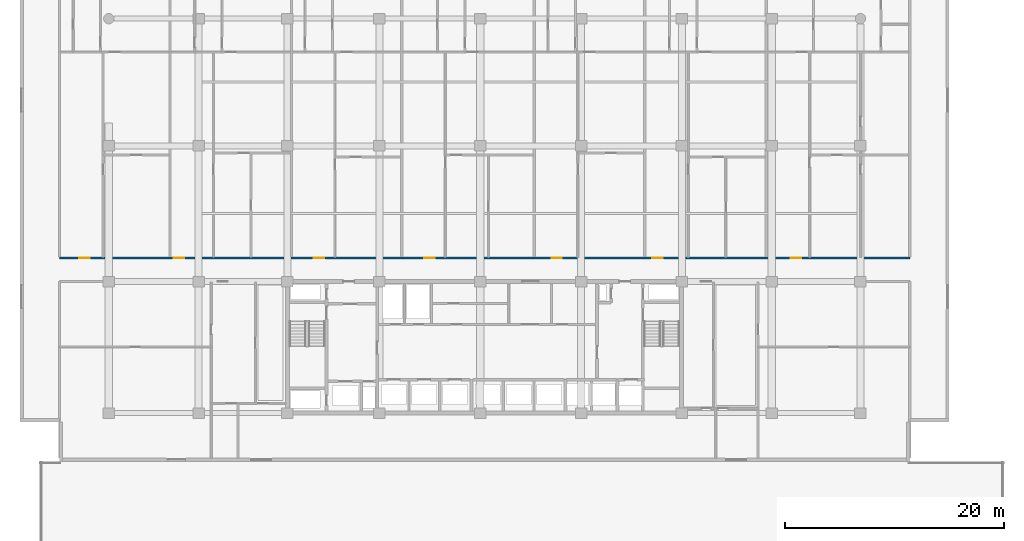
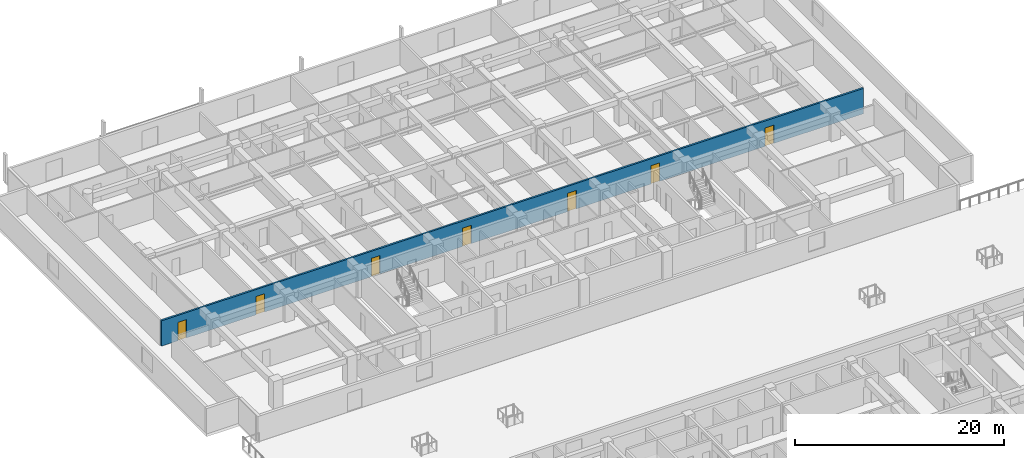
# One storey, part 13 of 24: 7 doors, 1 wall, 7 openings.
"""IFC4 building model written with IfcOpenShell, lengths in metres."""

import ifcopenshell
import ifcopenshell.guid

model = None  # the IFC model being written
_history = None  # IfcOwnerHistory: only IFC2X3 demands one
_inside = {}  # id of a spatial element -> (the spatial element, [elements in it])
_under = {}  # id of a project, library or spatial element -> (it, [spatial elements below it])
_declared = {}  # id of a project -> (the project, [libraries it declares])
_typed = {}  # id of a type object -> (the type object, [elements of that type])
_made_of = {}  # id of a material, layer set ... -> (it, [elements and type objects made of it])


def new_model(schema):
    """Start an empty IFC model of exactly this schema.

    Asked for "IFC4X3", IfcOpenShell would pick the latest addendum, in which some entities
    have other attributes; the version numbers below select the first issue.
    IFC2X3 requires an IfcOwnerHistory on every rooted entity: one is made here for all.
    """
    global model, _history
    if schema == "IFC4X3":
        model = ifcopenshell.file(schema_version=(4, 3, 0, 0))
    else:
        model = ifcopenshell.file(schema=schema)
    _inside.clear()
    _under.clear()
    _declared.clear()
    _typed.clear()
    _made_of.clear()
    _history = None
    if model.schema == "IFC2X3":
        org = make("IfcOrganization", Name="unknown")
        user = make(
            "IfcPersonAndOrganization",
            ThePerson=make("IfcPerson", FamilyName="unknown"),
            TheOrganization=org,
        )
        app = make(
            "IfcApplication",
            ApplicationDeveloper=org,
            Version="unknown",
            ApplicationFullName="unknown",
            ApplicationIdentifier="unknown",
        )
        _history = make(
            "IfcOwnerHistory",
            OwningUser=user,
            OwningApplication=app,
            ChangeAction="ADDED",
            CreationDate=0,
        )
    return model


def make(cls, **values):
    """One entity of the class cls with the attributes given. An attribute that is None is left unset."""
    return model.create_entity(
        cls, **{name: value for name, value in values.items() if value is not None}
    )


def rooted(cls, **values):
    """An entity with a GlobalId (a new one), such as an element, a storey or a relation."""
    return make(cls, GlobalId=ifcopenshell.guid.new(), OwnerHistory=_history, **values)


def si_unit(unit_type, name, prefix=None):
    """IfcSIUnit, for example si_unit("LENGTHUNIT", "METRE", prefix="MILLI")."""
    return make("IfcSIUnit", UnitType=unit_type, Prefix=prefix, Name=name)


def assignment(units):
    """IfcUnitAssignment: the units of a project."""
    return None if units is None else make("IfcUnitAssignment", Units=units)


def point(xyz):
    """IfcCartesianPoint."""
    return None if xyz is None else make("IfcCartesianPoint", Coordinates=xyz)


def direction(xyz):
    """IfcDirection."""
    return None if xyz is None else make("IfcDirection", DirectionRatios=xyz)


def frame(location, z_axis=None, x_axis=None):
    """IfcAxis2Placement3D, a coordinate frame: its origin and axes. An axis left out is left unset."""
    return make(
        "IfcAxis2Placement3D",
        Location=point(location),
        Axis=direction(z_axis),
        RefDirection=direction(x_axis),
    )


def frame_2d(location, x_axis=None):
    """IfcAxis2Placement2D, a coordinate frame in the plane: its origin and x axis."""
    return make(
        "IfcAxis2Placement2D", Location=point(location), RefDirection=direction(x_axis)
    )


def origin():
    """The frame at (0, 0, 0) with its axes left unset."""
    return frame((0.0, 0.0, 0.0))


def place(relative_to, where):
    """IfcLocalPlacement: puts the frame where relative to a parent placement (None: the world)."""
    return make(
        "IfcLocalPlacement", PlacementRelTo=relative_to, RelativePlacement=where
    )


def context(
    kind, dimensions, precision=None, world=None, true_north=None, identifier=None
):
    """IfcGeometricRepresentationContext, for example the 3D "Model" context."""
    return make(
        "IfcGeometricRepresentationContext",
        ContextIdentifier=identifier,
        ContextType=kind,
        CoordinateSpaceDimension=dimensions,
        Precision=precision,
        WorldCoordinateSystem=world,
        TrueNorth=true_north,
    )


def subcontext(parent, identifier, kind, view, scale=None):
    """IfcGeometricRepresentationSubContext, for example "Body" below "Model"."""
    return make(
        "IfcGeometricRepresentationSubContext",
        ContextIdentifier=identifier,
        ContextType=kind,
        ParentContext=parent,
        TargetScale=scale,
        TargetView=view,
    )


def project(units=None, contexts=None):
    """IfcProject with its units and contexts."""
    return rooted(
        "IfcProject",
        Name="project",
        RepresentationContexts=contexts,
        UnitsInContext=assignment(units),
    )


def spatial(cls, under=None, at=None, **own):
    """A site, building, storey or space (cls), placed at a placement, below another one or the project."""
    s = rooted(cls, ObjectPlacement=at, **own)
    if under is not None:
        _under.setdefault(under.id(), (under, []))[1].append(s)
    return s


def profile(cls, at=None, kind="AREA", **sizes):
    """A parametric profile (cls). Its sizes go by their IFC names, for example OverallWidth=200.0."""
    return make(cls, ProfileType=kind, Position=at, **sizes)


def rectangle(**sizes):
    """IfcRectangleProfileDef."""
    return profile("IfcRectangleProfileDef", **sizes)


def extrude(swept, where, along, depth):
    """IfcExtrudedAreaSolid: the profile swept, set in the frame where, extruded along a direction by depth."""
    return make(
        "IfcExtrudedAreaSolid",
        SweptArea=swept,
        Position=where,
        ExtrudedDirection=direction(along),
        Depth=depth,
    )


def shape(context_of_items, identifier, shape_type, items):
    """IfcShapeRepresentation: the items that make up one representation, for example the "Body"."""
    return make(
        "IfcShapeRepresentation",
        ContextOfItems=context_of_items,
        RepresentationIdentifier=identifier,
        RepresentationType=shape_type,
        Items=items,
    )


def material(Name=None, Category=None):
    """IfcMaterial."""
    return make("IfcMaterial", Name=Name, Category=Category)


def layer(
    of_material, thickness, ventilated=None, Name=None, Category=None, Priority=None
):
    """IfcMaterialLayer: one layer of a wall or slab, of a material (None: an air gap)."""
    return make(
        "IfcMaterialLayer",
        Material=of_material,
        LayerThickness=thickness,
        IsVentilated=ventilated,
        Name=Name,
        Category=Category,
        Priority=Priority,
    )


def layer_set(layers, Name=None):
    """IfcMaterialLayerSet."""
    return make("IfcMaterialLayerSet", MaterialLayers=layers, LayerSetName=Name)


def made_of(thing, what):
    """Note that an element or type object is made of a material, layer set ...; save() writes the relation."""
    if what is not None:
        _made_of.setdefault(what.id(), (what, []))[1].append(thing)
    return thing


def type_object(cls, material=None, **own):
    """A type object (cls), such as IfcWallType, which elements share."""
    return made_of(rooted(cls, **own), material)


def element(
    cls,
    number,
    at=None,
    inside=None,
    cuts=None,
    type_object=None,
    material=None,
    context=None,
    identifier="Body",
    shape_type=None,
    held_by="IfcProductDefinitionShape",
    body=None,
    shapes=None,
    **own,
):
    """One element of the class cls, such as IfcWall. Its Tag is "e" and its number.

    at: its placement. inside: the storey or other place that contains it. cuts: it is an
    opening in that element (IfcRelVoidsElement). A single representation is given by context,
    identifier, shape_type and body (its items); several are given by shapes. held_by: the class
    of the entity that holds the representations. save() writes the other relations.
    """
    e = rooted(cls, Tag="e%d" % number, ObjectPlacement=at, **own)
    if body is not None:
        shapes = [shape(context, identifier, shape_type, body)]
    if shapes is not None:
        e.Representation = make(held_by, Representations=shapes)
    if inside is not None:
        _inside.setdefault(inside.id(), (inside, []))[1].append(e)
    if cuts is not None:
        rooted(
            "IfcRelVoidsElement", RelatingBuildingElement=cuts, RelatedOpeningElement=e
        )
    if type_object is not None:
        _typed.setdefault(type_object.id(), (type_object, []))[1].append(e)
    return made_of(e, material)


def fill(opening, filler):
    """IfcRelFillsElement: the door or window that sits in an opening."""
    return rooted(
        "IfcRelFillsElement",
        RelatingOpeningElement=opening,
        RelatedBuildingElement=filler,
    )


def aggregate(whole, parts):
    """IfcRelAggregates: a whole, such as a stair, and the parts it consists of."""
    return rooted("IfcRelAggregates", RelatingObject=whole, RelatedObjects=parts)


def save(model, path):
    """Write the relations noted so far, then the file.

    IfcRelAggregates (storeys below a building ...), IfcRelContainedInSpatialStructure (elements
    in a storey), IfcRelDefinesByType, IfcRelAssociatesMaterial and IfcRelDeclares: one each for
    every whole, place, type object, material and project.
    """
    for whole, parts in _under.values():
        aggregate(whole, parts)
    for where, things in _inside.values():
        rooted(
            "IfcRelContainedInSpatialStructure",
            RelatedElements=things,
            RelatingStructure=where,
        )
    for kind, things in _typed.values():
        rooted("IfcRelDefinesByType", RelatedObjects=things, RelatingType=kind)
    for what, things in _made_of.values():
        rooted("IfcRelAssociatesMaterial", RelatedObjects=things, RelatingMaterial=what)
    for by, libraries in _declared.values():
        rooted("IfcRelDeclares", RelatingContext=by, RelatedDefinitions=libraries)
    model.write(path)


model = new_model("IFC4")

# Units and contexts
model_context = context("Model", 3, precision=1e-05, world=origin(), true_north=direction((0.0, 1.0)))
body_context = subcontext(model_context, "Body", "Model", "MODEL_VIEW")
ifc_project = project(units=[si_unit("LENGTHUNIT", "METRE"), si_unit("AREAUNIT", "SQUARE_METRE"), si_unit("VOLUMEUNIT", "CUBIC_METRE"), si_unit("PLANEANGLEUNIT", "RADIAN"), si_unit("MASSUNIT", "GRAM", prefix="KILO")], contexts=[model_context])

# Site, building, storey
site_placement = place(None, origin())
site = spatial("IfcSite", under=ifc_project, at=site_placement, CompositionType="ELEMENT")
building_placement = place(site_placement, origin())
building = spatial("IfcBuilding", under=site, at=building_placement, Name="Korimba Cascade Residences", CompositionType="ELEMENT")
storey_placement = place(building_placement, frame((0.0, 0.0, 24.0)))
storey = spatial("IfcBuildingStorey", under=building, at=storey_placement, Name="L05", CompositionType="ELEMENT", Elevation=24.0)

# Wall, openings, doors
ifc_material_1 = material(Name="Precast concrete C40/50", Category="concrete")
ifc_layer = layer(ifc_material_1, 0.199951171875)
ifc_layer_set = layer_set([ifc_layer], Name="Precast concrete C40/50")
wall_type = type_object("IfcWallType", Name="WAL-IT-200", PredefinedType="PARTITIONING", material=ifc_layer_set)
wall_placement = place(storey_placement, frame((55.300048828125, 69.35009765625, 0.0), z_axis=(0.0, 0.0, 1.0), x_axis=(1.0, 0.0, 0.0)))
wall = element("IfcWall", 1, at=wall_placement, inside=storey, type_object=wall_type, Name="L05 Partition Wall WAL-L05-T1-CORN", PredefinedType="PARTITIONING", context=body_context, shape_type="SweptSolid", body=[
    extrude(rectangle(XDim=77.599853515625, YDim=0.199951171875, at=frame_2d((38.7998046875, 0.0))), origin(), (0.0, 0.0, 1.0), 2.969970703125),
])
opening_1_placement = place(wall_placement, frame((1.81005859375, 0.0, 0.0)))
opening_1 = element("IfcOpeningElement", 2, at=opening_1_placement, cuts=wall, Name="Opening D-UN1", PredefinedType="OPENING", context=body_context, shape_type="SweptSolid", body=[
    extrude(rectangle(XDim=0.949951171875, YDim=2.14990234375, at=frame_2d((0.47509765625, 1.074951171875))), frame((0.0, 0.10986328125, 0.0), z_axis=(0.0, -1.0, 0.0), x_axis=(1.0, 0.0, 0.0)), (0.0, 0.0, 1.0), 0.219970703125),
])
opening_2_placement = place(wall_placement, frame((10.447998046875, 0.0, 0.0)))
opening_2 = element("IfcOpeningElement", 3, at=opening_2_placement, cuts=wall, Name="Opening D-UN1", PredefinedType="OPENING", context=body_context, shape_type="SweptSolid", body=[
    extrude(rectangle(XDim=0.949951171875, YDim=2.14990234375, at=frame_2d((0.47509765625, 1.074951171875))), frame((0.0, 0.10986328125, 0.0), z_axis=(0.0, -1.0, 0.0), x_axis=(1.0, 0.0, 0.0)), (0.0, 0.0, 1.0), 0.219970703125),
])
opening_3_placement = place(wall_placement, frame((23.20849609375, 0.0, 0.0)))
opening_3 = element("IfcOpeningElement", 4, at=opening_3_placement, cuts=wall, Name="Opening D-UN1", PredefinedType="OPENING", context=body_context, shape_type="SweptSolid", body=[
    extrude(rectangle(XDim=0.949951171875, YDim=2.14990234375, at=frame_2d((0.47509765625, 1.074951171875))), frame((0.0, 0.10986328125, 0.0), z_axis=(0.0, -1.0, 0.0), x_axis=(1.0, 0.0, 0.0)), (0.0, 0.0, 1.0), 0.219970703125),
])
opening_4_placement = place(wall_placement, frame((33.28662109375, 0.0, 0.0)))
opening_4 = element("IfcOpeningElement", 5, at=opening_4_placement, cuts=wall, Name="Opening D-UN1", PredefinedType="OPENING", context=body_context, shape_type="SweptSolid", body=[
    extrude(rectangle(XDim=0.949951171875, YDim=2.14990234375, at=frame_2d((0.47509765625, 1.074951171875))), frame((0.0, 0.10986328125, 0.0), z_axis=(0.0, -1.0, 0.0), x_axis=(1.0, 0.0, 0.0)), (0.0, 0.0, 1.0), 0.219970703125),
])
opening_5_placement = place(wall_placement, frame((44.905029296875, 0.0, 0.0)))
opening_5 = element("IfcOpeningElement", 6, at=opening_5_placement, cuts=wall, Name="Opening D-UN1", PredefinedType="OPENING", context=body_context, shape_type="SweptSolid", body=[
    extrude(rectangle(XDim=0.949951171875, YDim=2.14990234375, at=frame_2d((0.47509765625, 1.074951171875))), frame((0.0, 0.10986328125, 0.0), z_axis=(0.0, -1.0, 0.0), x_axis=(1.0, 0.0, 0.0)), (0.0, 0.0, 1.0), 0.219970703125),
])
opening_6_placement = place(wall_placement, frame((54.118896484375, 0.0, 0.0)))
opening_6 = element("IfcOpeningElement", 7, at=opening_6_placement, cuts=wall, Name="Opening D-UN1", PredefinedType="OPENING", context=body_context, shape_type="SweptSolid", body=[
    extrude(rectangle(XDim=0.949951171875, YDim=2.14990234375, at=frame_2d((0.47509765625, 1.074951171875))), frame((0.0, 0.10986328125, 0.0), z_axis=(0.0, -1.0, 0.0), x_axis=(1.0, 0.0, 0.0)), (0.0, 0.0, 1.0), 0.219970703125),
])
opening_7_placement = place(wall_placement, frame((66.740478515625, 0.0, 0.0)))
opening_7 = element("IfcOpeningElement", 8, at=opening_7_placement, cuts=wall, Name="Opening D-UN1", PredefinedType="OPENING", context=body_context, shape_type="SweptSolid", body=[
    extrude(rectangle(XDim=0.949951171875, YDim=2.14990234375, at=frame_2d((0.47509765625, 1.074951171875))), frame((0.0, 0.10986328125, 0.0), z_axis=(0.0, -1.0, 0.0), x_axis=(1.0, 0.0, 0.0)), (0.0, 0.0, 1.0), 0.219970703125),
])
ifc_material_2 = material(Name="Fire-Rated Hardwood Apartment Entrance Door", Category="wood")
door_type = type_object("IfcDoorType", Name="DR-FD60-950", OperationType="NOTDEFINED", PredefinedType="DOOR", material=ifc_material_2)
door_1_placement = place(opening_1_placement, origin())
door_1 = element("IfcDoor", 9, at=door_1_placement, inside=storey, type_object=door_type, Name="Unit L05-T1-U01 Entrance Door", OperationType="SINGLE_SWING_RIGHT", OverallHeight=2.14990234375, OverallWidth=0.949951171875, PredefinedType="DOOR", context=body_context, shape_type="SweptSolid", body=[
    extrude(rectangle(XDim=0.949951171875, YDim=2.14990234375, at=frame_2d((0.47509765625, 1.074951171875))), frame((0.0, 0.02490234375, 0.0), z_axis=(0.0, -1.0, 0.0), x_axis=(1.0, 0.0, 0.0)), (0.0, 0.0, 1.0), 0.050048828125),
])
fill(opening_1, door_1)
door_2_placement = place(opening_2_placement, origin())
door_2 = element("IfcDoor", 10, at=door_2_placement, inside=storey, type_object=door_type, Name="Unit L05-T1-U02 Entrance Door", OperationType="SINGLE_SWING_LEFT", OverallHeight=2.14990234375, OverallWidth=0.949951171875, PredefinedType="DOOR", context=body_context, shape_type="SweptSolid", body=[
    extrude(rectangle(XDim=0.949951171875, YDim=2.14990234375, at=frame_2d((0.47509765625, 1.074951171875))), frame((0.0, 0.02490234375, 0.0), z_axis=(0.0, -1.0, 0.0), x_axis=(1.0, 0.0, 0.0)), (0.0, 0.0, 1.0), 0.050048828125),
])
fill(opening_2, door_2)
door_3_placement = place(opening_3_placement, origin())
door_3 = element("IfcDoor", 11, at=door_3_placement, inside=storey, type_object=door_type, Name="Unit L05-T1-U03 Entrance Door", OperationType="SINGLE_SWING_RIGHT", OverallHeight=2.14990234375, OverallWidth=0.949951171875, PredefinedType="DOOR", context=body_context, shape_type="SweptSolid", body=[
    extrude(rectangle(XDim=0.949951171875, YDim=2.14990234375, at=frame_2d((0.47509765625, 1.074951171875))), frame((0.0, 0.02490234375, 0.0), z_axis=(0.0, -1.0, 0.0), x_axis=(1.0, 0.0, 0.0)), (0.0, 0.0, 1.0), 0.050048828125),
])
fill(opening_3, door_3)
door_4_placement = place(opening_4_placement, origin())
door_4 = element("IfcDoor", 12, at=door_4_placement, inside=storey, type_object=door_type, Name="Unit L05-T1-U04 Entrance Door", OperationType="SINGLE_SWING_LEFT", OverallHeight=2.14990234375, OverallWidth=0.949951171875, PredefinedType="DOOR", context=body_context, shape_type="SweptSolid", body=[
    extrude(rectangle(XDim=0.949951171875, YDim=2.14990234375, at=frame_2d((0.47509765625, 1.074951171875))), frame((0.0, 0.02490234375, 0.0), z_axis=(0.0, -1.0, 0.0), x_axis=(1.0, 0.0, 0.0)), (0.0, 0.0, 1.0), 0.050048828125),
])
fill(opening_4, door_4)
door_5_placement = place(opening_5_placement, origin())
door_5 = element("IfcDoor", 13, at=door_5_placement, inside=storey, type_object=door_type, Name="Unit L05-T1-U05 Entrance Door", OperationType="SINGLE_SWING_RIGHT", OverallHeight=2.14990234375, OverallWidth=0.949951171875, PredefinedType="DOOR", context=body_context, shape_type="SweptSolid", body=[
    extrude(rectangle(XDim=0.949951171875, YDim=2.14990234375, at=frame_2d((0.47509765625, 1.074951171875))), frame((0.0, 0.02490234375, 0.0), z_axis=(0.0, -1.0, 0.0), x_axis=(1.0, 0.0, 0.0)), (0.0, 0.0, 1.0), 0.050048828125),
])
fill(opening_5, door_5)
door_6_placement = place(opening_6_placement, origin())
door_6 = element("IfcDoor", 14, at=door_6_placement, inside=storey, type_object=door_type, Name="Unit L05-T1-U06 Entrance Door", OperationType="SINGLE_SWING_LEFT", OverallHeight=2.14990234375, OverallWidth=0.949951171875, PredefinedType="DOOR", context=body_context, shape_type="SweptSolid", body=[
    extrude(rectangle(XDim=0.949951171875, YDim=2.14990234375, at=frame_2d((0.47509765625, 1.074951171875))), frame((0.0, 0.02490234375, 0.0), z_axis=(0.0, -1.0, 0.0), x_axis=(1.0, 0.0, 0.0)), (0.0, 0.0, 1.0), 0.050048828125),
])
fill(opening_6, door_6)
door_7_placement = place(opening_7_placement, origin())
door_7 = element("IfcDoor", 15, at=door_7_placement, inside=storey, type_object=door_type, Name="Unit L05-T1-U07 Entrance Door", OperationType="SINGLE_SWING_RIGHT", OverallHeight=2.14990234375, OverallWidth=0.949951171875, PredefinedType="DOOR", context=body_context, shape_type="SweptSolid", body=[
    extrude(rectangle(XDim=0.949951171875, YDim=2.14990234375, at=frame_2d((0.47509765625, 1.074951171875))), frame((0.0, 0.02490234375, 0.0), z_axis=(0.0, -1.0, 0.0), x_axis=(1.0, 0.0, 0.0)), (0.0, 0.0, 1.0), 0.050048828125),
])
fill(opening_7, door_7)

save(model, "model.ifc")
